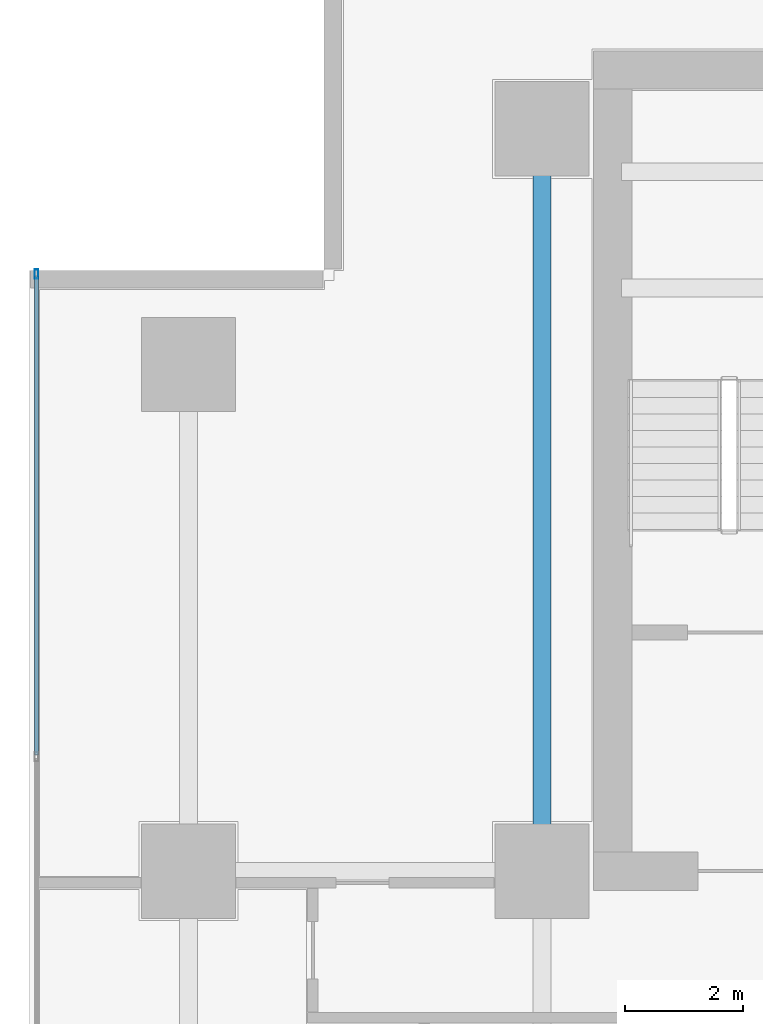
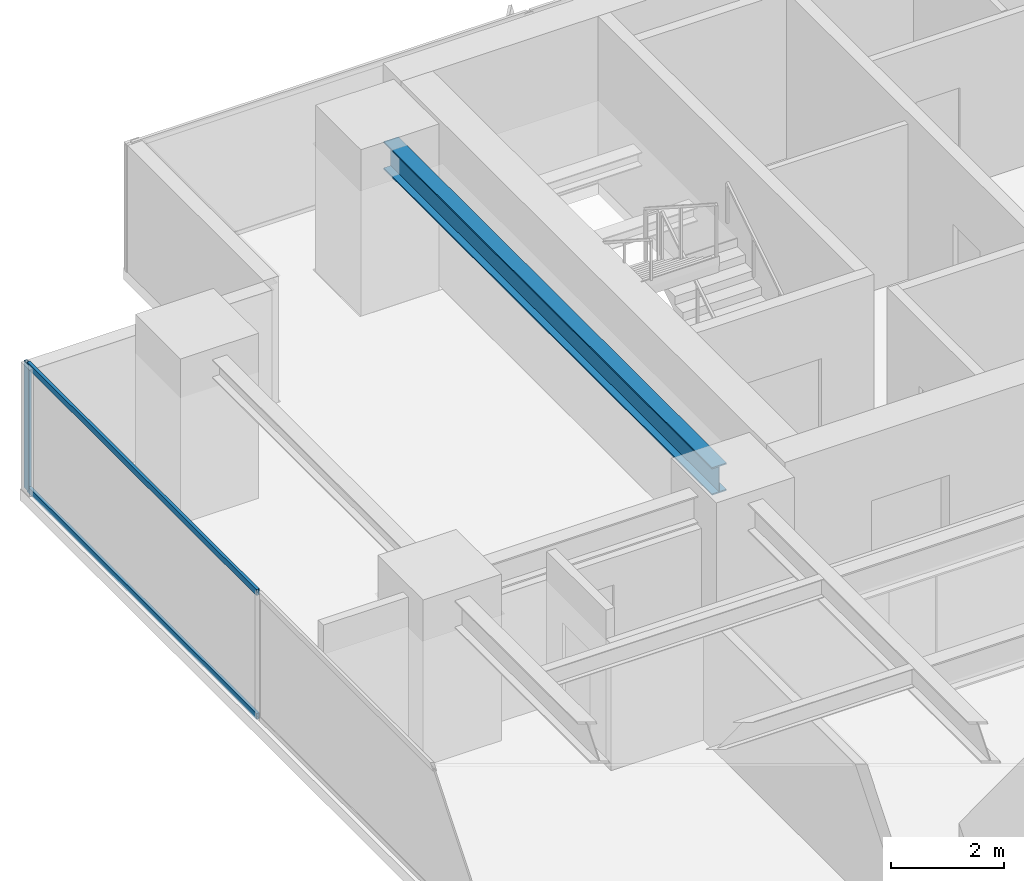
# One storey, part 18 of 37: 3 members, 1 beam, 1 element without a shape of its own.
"""IFC4 building model written with IfcOpenShell, lengths in metres."""

from ifc_helpers import new_model, si_unit, direction, frame, origin, origin_2d, place, context, subcontext, project, spatial, hollow_rectangle, i_section, extrude, source, transform, mapped, material, layer, layer_set, material_profile, profile_set, type_object, element, aggregate, save


model = new_model("IFC4")

# Units and contexts
model_context = context("Model", 3, precision=1e-05, world=origin(), true_north=direction((0.0, 1.0)))
body_context = subcontext(model_context, "Body", "Model", "MODEL_VIEW")
ifc_project = project(units=[si_unit("LENGTHUNIT", "METRE"), si_unit("AREAUNIT", "SQUARE_METRE"), si_unit("VOLUMEUNIT", "CUBIC_METRE"), si_unit("PLANEANGLEUNIT", "RADIAN"), si_unit("MASSUNIT", "GRAM", prefix="KILO")], contexts=[model_context])

# Site, building, storey
site_placement = place(None, origin())
site = spatial("IfcSite", under=ifc_project, at=site_placement, CompositionType="ELEMENT")
building_placement = place(site_placement, origin())
building = spatial("IfcBuilding", under=site, at=building_placement, Name="Sumidabori Civic Tower", CompositionType="ELEMENT")
storey_placement = place(building_placement, frame((0.0, 0.0, 117.199951171875)))
storey = spatial("IfcBuildingStorey", under=building, at=storey_placement, Name="L30", CompositionType="ELEMENT", Elevation=117.199951171875)

# Beam
ifc_material_1 = material(Name="Steel SN490", Category="steel")
ifc_material_profile_1 = material_profile(ifc_material_1, i_section(OverallWidth=0.300048828125, OverallDepth=0.60009765625, WebThickness=0.015380859375, FlangeThickness=0.030029296875, at=origin_2d()), Name="HE 600 B")
ifc_profile_set_1 = profile_set([ifc_material_profile_1], Name="Steel SN490")
beam_type = type_object("IfcBeamType", Name="BM-GIRD-600", PredefinedType="BEAM", material=ifc_profile_set_1)
shared_shape_1 = source(origin(), body_context, "Body", "SweptSolid", [
    extrude(i_section(OverallWidth=0.300048828125, OverallDepth=0.60009765625, WebThickness=0.015380859375, FlangeThickness=0.030029296875, at=origin_2d()), origin(), (0.0, 0.0, 1.0), 11.64013671875),
])
beam_placement = place(storey_placement, frame((-16.800048828125, 10.679931640625, 3.06005859375), z_axis=(0.0, 1.0, 0.0), x_axis=(-1.0, 0.0, 0.0)))
element("IfcBeam", 1, at=beam_placement, inside=storey, type_object=beam_type, Name="Primary Girder L30 GY-28", PredefinedType="BEAM", context=body_context, shape_type="MappedRepresentation", body=[
    mapped(shared_shape_1, transform((0.0, 0.0, 0.0), x_axis=(1.0, 0.0, 0.0), y_axis=(0.0, 1.0, 0.0), z_axis=(0.0, 0.0, 1.0), scale=1.0)),
])

# Curtain wall, members
ifc_material_2 = material(Name="Anodised Bronze Aluminium AW-6063-T6", Category="aluminium")
ifc_layer = layer(ifc_material_2, 0.179931640625, Name="Anodised Bronze Aluminium AW-6063-T6")
ifc_layer_set = layer_set([ifc_layer], Name="Anodised Bronze Aluminium AW-6063-T6")
curtain_wall_type = type_object("IfcCurtainWallType", Name="CW-SYS-3", PredefinedType="NOTDEFINED", material=ifc_layer_set)
curtain_wall_placement = place(storey_placement, origin())
curtain_wall = element("IfcCurtainWall", 2, at=curtain_wall_placement, inside=storey, type_object=curtain_wall_type, Name="Curtain Wall CW:L30:R10", PredefinedType="NOTDEFINED")
ifc_material_profile_2 = material_profile(ifc_material_2, hollow_rectangle(XDim=0.06494140625, YDim=0.159912109375, WallThickness=0.0048828125, at=origin_2d()), Name="ALU MULLION 160x65")
ifc_profile_set_2 = profile_set([ifc_material_profile_2], Name="Anodised Bronze Aluminium AW-6063-T6")
member_type_1 = type_object("IfcMemberType", Name="CW-MUL-160", PredefinedType="MULLION", material=ifc_profile_set_2)
shared_shape_2 = source(origin(), body_context, "Body", "SweptSolid", [
    extrude(hollow_rectangle(XDim=0.06494140625, YDim=0.159912109375, WallThickness=0.0048828125, at=origin_2d()), origin(), (0.0, 0.0, 1.0), 2.739990234375),
])
member_1_placement = place(storey_placement, frame((-25.3798828125, 20.33740234375, 0.0), z_axis=(0.0, 0.0, 1.0), x_axis=(1.0, 0.0, 0.0)))
member_1 = element("IfcMember", 3, at=member_1_placement, type_object=member_type_1, Name="CW-3 mullion 1", PredefinedType="MULLION", context=body_context, shape_type="MappedRepresentation", body=[
    mapped(shared_shape_2, transform((0.0, 0.0, 0.0), x_axis=(1.0, 0.0, 0.0), y_axis=(0.0, 1.0, 0.0), z_axis=(0.0, 0.0, 1.0), scale=1.0)),
])
ifc_material_profile_3 = material_profile(ifc_material_2, hollow_rectangle(XDim=0.06005859375, YDim=0.1298828125, WallThickness=0.0048828125, at=origin_2d()), Name="ALU TRANSOM 130x60")
ifc_profile_set_3 = profile_set([ifc_material_profile_3], Name="Anodised Bronze Aluminium AW-6063-T6")
member_type_2 = type_object("IfcMemberType", Name="CW-TRN-130", PredefinedType="USERDEFINED", material=ifc_profile_set_3)
shared_shape_3 = source(origin(), body_context, "Body", "SweptSolid", [
    extrude(hollow_rectangle(XDim=0.06005859375, YDim=0.1298828125, WallThickness=0.0048828125, at=origin_2d()), origin(), (0.0, 0.0, 1.0), 8.13037109375),
])
member_2_placement = place(storey_placement, frame((-25.3798828125, 20.304931640625, 0.030029296875), z_axis=(0.0, -1.0, 0.0), x_axis=(1.0, 0.0, 0.0)))
member_2 = element("IfcMember", 4, at=member_2_placement, type_object=member_type_2, Name="CW-3 transom 1.1", ObjectType="TRANSOM", PredefinedType="USERDEFINED", context=body_context, shape_type="MappedRepresentation", body=[
    mapped(shared_shape_3, transform((0.0, 0.0, 0.0), x_axis=(1.0, 0.0, 0.0), y_axis=(0.0, 1.0, 0.0), z_axis=(0.0, 0.0, 1.0), scale=1.0)),
])
member_3_placement = place(storey_placement, frame((-25.3798828125, 20.304931640625, 2.7099609375), z_axis=(0.0, -1.0, 0.0), x_axis=(1.0, 0.0, 0.0)))
member_3 = element("IfcMember", 5, at=member_3_placement, type_object=member_type_2, Name="CW-3 transom 1.2", ObjectType="TRANSOM", PredefinedType="USERDEFINED", context=body_context, shape_type="MappedRepresentation", body=[
    mapped(shared_shape_3, transform((0.0, 0.0, 0.0), x_axis=(1.0, 0.0, 0.0), y_axis=(0.0, 1.0, 0.0), z_axis=(0.0, 0.0, 1.0), scale=1.0)),
])
aggregate(curtain_wall, [member_1, member_2, member_3])

save(model, "model.ifc")
